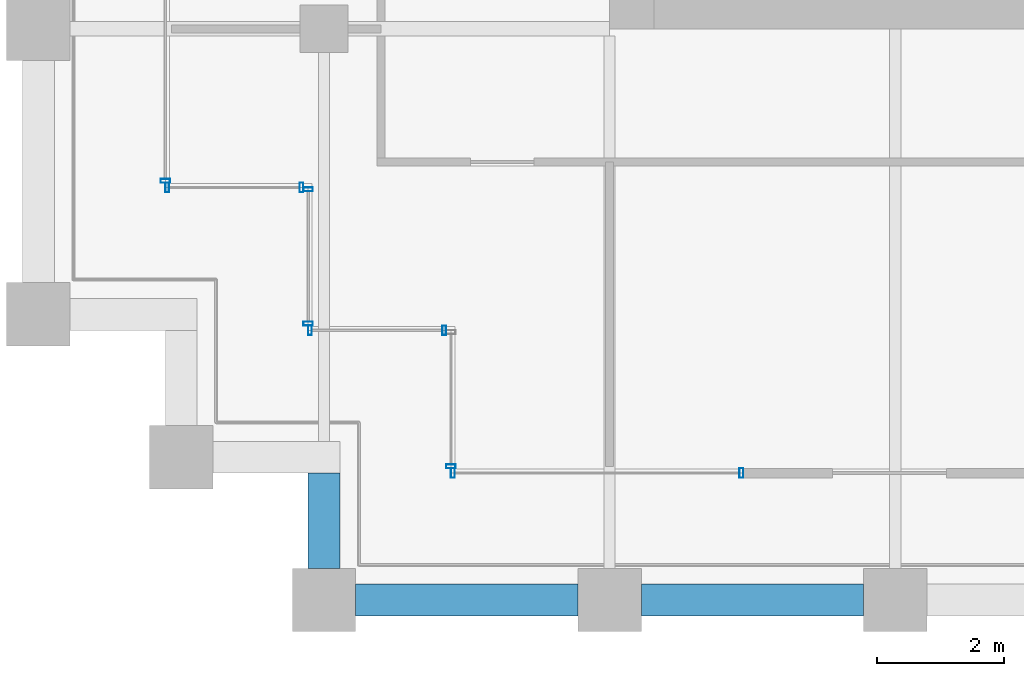
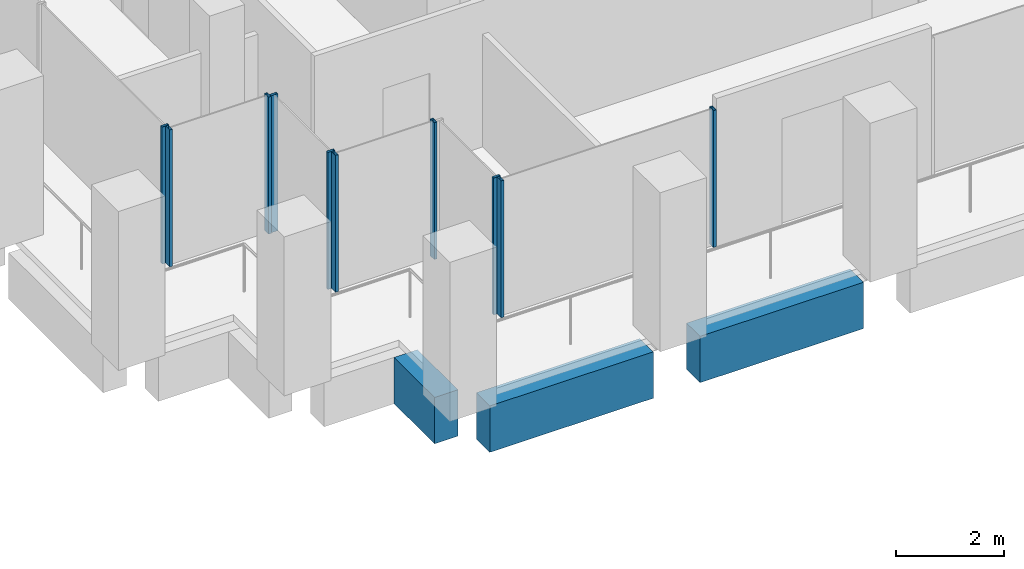
# One storey, part 28 of 45: 10 members, 3 beams, 6 elements without a shape of their own.
"""IFC4 building model written with IfcOpenShell, lengths in metres."""

import ifcopenshell
import ifcopenshell.guid

model = None  # the IFC model being written
_history = None  # IfcOwnerHistory: only IFC2X3 demands one
_inside = {}  # id of a spatial element -> (the spatial element, [elements in it])
_under = {}  # id of a project, library or spatial element -> (it, [spatial elements below it])
_declared = {}  # id of a project -> (the project, [libraries it declares])
_typed = {}  # id of a type object -> (the type object, [elements of that type])
_made_of = {}  # id of a material, layer set ... -> (it, [elements and type objects made of it])


def new_model(schema):
    """Start an empty IFC model of exactly this schema.

    Asked for "IFC4X3", IfcOpenShell would pick the latest addendum, in which some entities
    have other attributes; the version numbers below select the first issue.
    IFC2X3 requires an IfcOwnerHistory on every rooted entity: one is made here for all.
    """
    global model, _history
    if schema == "IFC4X3":
        model = ifcopenshell.file(schema_version=(4, 3, 0, 0))
    else:
        model = ifcopenshell.file(schema=schema)
    _inside.clear()
    _under.clear()
    _declared.clear()
    _typed.clear()
    _made_of.clear()
    _history = None
    if model.schema == "IFC2X3":
        org = make("IfcOrganization", Name="unknown")
        user = make(
            "IfcPersonAndOrganization",
            ThePerson=make("IfcPerson", FamilyName="unknown"),
            TheOrganization=org,
        )
        app = make(
            "IfcApplication",
            ApplicationDeveloper=org,
            Version="unknown",
            ApplicationFullName="unknown",
            ApplicationIdentifier="unknown",
        )
        _history = make(
            "IfcOwnerHistory",
            OwningUser=user,
            OwningApplication=app,
            ChangeAction="ADDED",
            CreationDate=0,
        )
    return model


def make(cls, **values):
    """One entity of the class cls with the attributes given. An attribute that is None is left unset."""
    return model.create_entity(
        cls, **{name: value for name, value in values.items() if value is not None}
    )


def rooted(cls, **values):
    """An entity with a GlobalId (a new one), such as an element, a storey or a relation."""
    return make(cls, GlobalId=ifcopenshell.guid.new(), OwnerHistory=_history, **values)


def si_unit(unit_type, name, prefix=None):
    """IfcSIUnit, for example si_unit("LENGTHUNIT", "METRE", prefix="MILLI")."""
    return make("IfcSIUnit", UnitType=unit_type, Prefix=prefix, Name=name)


def assignment(units):
    """IfcUnitAssignment: the units of a project."""
    return None if units is None else make("IfcUnitAssignment", Units=units)


def point(xyz):
    """IfcCartesianPoint."""
    return None if xyz is None else make("IfcCartesianPoint", Coordinates=xyz)


def direction(xyz):
    """IfcDirection."""
    return None if xyz is None else make("IfcDirection", DirectionRatios=xyz)


def frame(location, z_axis=None, x_axis=None):
    """IfcAxis2Placement3D, a coordinate frame: its origin and axes. An axis left out is left unset."""
    return make(
        "IfcAxis2Placement3D",
        Location=point(location),
        Axis=direction(z_axis),
        RefDirection=direction(x_axis),
    )


def frame_2d(location, x_axis=None):
    """IfcAxis2Placement2D, a coordinate frame in the plane: its origin and x axis."""
    return make(
        "IfcAxis2Placement2D", Location=point(location), RefDirection=direction(x_axis)
    )


def origin():
    """The frame at (0, 0, 0) with its axes left unset."""
    return frame((0.0, 0.0, 0.0))


def origin_2d():
    """The frame at (0, 0) in the plane with its x axis left unset."""
    return frame_2d((0.0, 0.0))


def place(relative_to, where):
    """IfcLocalPlacement: puts the frame where relative to a parent placement (None: the world)."""
    return make(
        "IfcLocalPlacement", PlacementRelTo=relative_to, RelativePlacement=where
    )


def context(
    kind, dimensions, precision=None, world=None, true_north=None, identifier=None
):
    """IfcGeometricRepresentationContext, for example the 3D "Model" context."""
    return make(
        "IfcGeometricRepresentationContext",
        ContextIdentifier=identifier,
        ContextType=kind,
        CoordinateSpaceDimension=dimensions,
        Precision=precision,
        WorldCoordinateSystem=world,
        TrueNorth=true_north,
    )


def subcontext(parent, identifier, kind, view, scale=None):
    """IfcGeometricRepresentationSubContext, for example "Body" below "Model"."""
    return make(
        "IfcGeometricRepresentationSubContext",
        ContextIdentifier=identifier,
        ContextType=kind,
        ParentContext=parent,
        TargetScale=scale,
        TargetView=view,
    )


def project(units=None, contexts=None):
    """IfcProject with its units and contexts."""
    return rooted(
        "IfcProject",
        Name="project",
        RepresentationContexts=contexts,
        UnitsInContext=assignment(units),
    )


def spatial(cls, under=None, at=None, **own):
    """A site, building, storey or space (cls), placed at a placement, below another one or the project."""
    s = rooted(cls, ObjectPlacement=at, **own)
    if under is not None:
        _under.setdefault(under.id(), (under, []))[1].append(s)
    return s


def profile(cls, at=None, kind="AREA", **sizes):
    """A parametric profile (cls). Its sizes go by their IFC names, for example OverallWidth=200.0."""
    return make(cls, ProfileType=kind, Position=at, **sizes)


def rectangle(**sizes):
    """IfcRectangleProfileDef."""
    return profile("IfcRectangleProfileDef", **sizes)


def hollow_rectangle(**sizes):
    """IfcRectangleHollowProfileDef."""
    return profile("IfcRectangleHollowProfileDef", **sizes)


def extrude(swept, where, along, depth):
    """IfcExtrudedAreaSolid: the profile swept, set in the frame where, extruded along a direction by depth."""
    return make(
        "IfcExtrudedAreaSolid",
        SweptArea=swept,
        Position=where,
        ExtrudedDirection=direction(along),
        Depth=depth,
    )


def shape(context_of_items, identifier, shape_type, items):
    """IfcShapeRepresentation: the items that make up one representation, for example the "Body"."""
    return make(
        "IfcShapeRepresentation",
        ContextOfItems=context_of_items,
        RepresentationIdentifier=identifier,
        RepresentationType=shape_type,
        Items=items,
    )


def material(Name=None, Category=None):
    """IfcMaterial."""
    return make("IfcMaterial", Name=Name, Category=Category)


def material_profile(
    of_material, cross_section, Name=None, Category=None, Priority=None
):
    """IfcMaterialProfile: a cross section and its material."""
    return make(
        "IfcMaterialProfile",
        Name=Name,
        Material=of_material,
        Profile=cross_section,
        Priority=Priority,
        Category=Category,
    )


def profile_set(profiles, Name=None, composite=None):
    """IfcMaterialProfileSet."""
    return make(
        "IfcMaterialProfileSet",
        Name=Name,
        MaterialProfiles=profiles,
        CompositeProfile=composite,
    )


def made_of(thing, what):
    """Note that an element or type object is made of a material, layer set ...; save() writes the relation."""
    if what is not None:
        _made_of.setdefault(what.id(), (what, []))[1].append(thing)
    return thing


def type_object(cls, material=None, **own):
    """A type object (cls), such as IfcWallType, which elements share."""
    return made_of(rooted(cls, **own), material)


def element(
    cls,
    number,
    at=None,
    inside=None,
    cuts=None,
    type_object=None,
    material=None,
    context=None,
    identifier="Body",
    shape_type=None,
    held_by="IfcProductDefinitionShape",
    body=None,
    shapes=None,
    **own,
):
    """One element of the class cls, such as IfcWall. Its Tag is "e" and its number.

    at: its placement. inside: the storey or other place that contains it. cuts: it is an
    opening in that element (IfcRelVoidsElement). A single representation is given by context,
    identifier, shape_type and body (its items); several are given by shapes. held_by: the class
    of the entity that holds the representations. save() writes the other relations.
    """
    e = rooted(cls, Tag="e%d" % number, ObjectPlacement=at, **own)
    if body is not None:
        shapes = [shape(context, identifier, shape_type, body)]
    if shapes is not None:
        e.Representation = make(held_by, Representations=shapes)
    if inside is not None:
        _inside.setdefault(inside.id(), (inside, []))[1].append(e)
    if cuts is not None:
        rooted(
            "IfcRelVoidsElement", RelatingBuildingElement=cuts, RelatedOpeningElement=e
        )
    if type_object is not None:
        _typed.setdefault(type_object.id(), (type_object, []))[1].append(e)
    return made_of(e, material)


def aggregate(whole, parts):
    """IfcRelAggregates: a whole, such as a stair, and the parts it consists of."""
    return rooted("IfcRelAggregates", RelatingObject=whole, RelatedObjects=parts)


def save(model, path):
    """Write the relations noted so far, then the file.

    IfcRelAggregates (storeys below a building ...), IfcRelContainedInSpatialStructure (elements
    in a storey), IfcRelDefinesByType, IfcRelAssociatesMaterial and IfcRelDeclares: one each for
    every whole, place, type object, material and project.
    """
    for whole, parts in _under.values():
        aggregate(whole, parts)
    for where, things in _inside.values():
        rooted(
            "IfcRelContainedInSpatialStructure",
            RelatedElements=things,
            RelatingStructure=where,
        )
    for kind, things in _typed.values():
        rooted("IfcRelDefinesByType", RelatedObjects=things, RelatingType=kind)
    for what, things in _made_of.values():
        rooted("IfcRelAssociatesMaterial", RelatedObjects=things, RelatingMaterial=what)
    for by, libraries in _declared.values():
        rooted("IfcRelDeclares", RelatingContext=by, RelatedDefinitions=libraries)
    model.write(path)


model = new_model("IFC4")

# Units and contexts
model_context = context("Model", 3, precision=1e-05, world=origin(), true_north=direction((0.0, 1.0)))
body_context = subcontext(model_context, "Body", "Model", "MODEL_VIEW")
ifc_project = project(units=[si_unit("LENGTHUNIT", "METRE"), si_unit("AREAUNIT", "SQUARE_METRE"), si_unit("VOLUMEUNIT", "CUBIC_METRE"), si_unit("PLANEANGLEUNIT", "RADIAN"), si_unit("MASSUNIT", "GRAM", prefix="KILO")], contexts=[model_context])

# Site, building, storey
site_placement = place(None, origin())
site = spatial("IfcSite", under=ifc_project, at=site_placement, CompositionType="ELEMENT")
building_placement = place(site_placement, origin())
building = spatial("IfcBuilding", under=site, at=building_placement, Name="Altepetl Exchange Towers", CompositionType="ELEMENT")
storey_placement = place(building_placement, frame((0.0, 0.0, 110.0)))
storey = spatial("IfcBuildingStorey", under=building, at=storey_placement, Name="L27", CompositionType="ELEMENT", Elevation=110.0)

# Curtain wall, member
ifc_material_1 = material(Name="Aluminium 6063-T6 glazing", Category="aluminium")
curtain_wall_type = type_object("IfcCurtainWallType", Name="Loggia glazing system", PredefinedType="NOTDEFINED", material=ifc_material_1)
curtain_wall_1_placement = place(storey_placement, origin())
curtain_wall_1 = element("IfcCurtainWall", 1, at=curtain_wall_1_placement, inside=storey, type_object=curtain_wall_type, Name="CW1 run", PredefinedType="NOTDEFINED")
ifc_material_2 = material(Name="Aluminium 6063-T6", Category="aluminium")
ifc_material_profile_1 = material_profile(ifc_material_2, hollow_rectangle(XDim=0.06005859375, YDim=0.14990234375, WallThickness=0.0029296875, at=origin_2d()), Name="Mullion 60x150 aluminium")
ifc_profile_set_1 = profile_set([ifc_material_profile_1], Name="Aluminium 6063-T6")
member_type = type_object("IfcMemberType", Name="Mullion 60x150 aluminium", PredefinedType="MULLION", material=ifc_profile_set_1)
member_1_placement = place(storey_placement, frame((96.5, 33.60498046875, 0.0), z_axis=(0.0, 0.0, 1.0), x_axis=(0.0, -1.0, 0.0)))
member_1 = element("IfcMember", 2, at=member_1_placement, type_object=member_type, Name="MU1 mullion", PredefinedType="MULLION", context=body_context, shape_type="SweptSolid", body=[
    extrude(hollow_rectangle(XDim=0.06005859375, YDim=0.14990234375, WallThickness=0.0029296875, at=origin_2d()), origin(), (0.0, 0.0, 1.0), 3.10009765625),
])
aggregate(curtain_wall_1, [member_1])

# Curtain wall, members
curtain_wall_2_placement = place(storey_placement, origin())
curtain_wall_2 = element("IfcCurtainWall", 3, at=curtain_wall_2_placement, inside=storey, type_object=curtain_wall_type, Name="CW1 run", PredefinedType="NOTDEFINED")
member_2_placement = place(storey_placement, frame((96.530029296875, 33.5, 0.0)))
member_2 = element("IfcMember", 4, at=member_2_placement, type_object=member_type, Name="MU1 mullion", PredefinedType="MULLION", context=body_context, shape_type="SweptSolid", body=[
    extrude(hollow_rectangle(XDim=0.06005859375, YDim=0.14990234375, WallThickness=0.0029296875, at=origin_2d()), origin(), (0.0, 0.0, 1.0), 3.10009765625),
])
member_3_placement = place(storey_placement, frame((98.64501953125, 33.5, 0.0)))
member_3 = element("IfcMember", 5, at=member_3_placement, type_object=member_type, Name="MU1 mullion", PredefinedType="MULLION", context=body_context, shape_type="SweptSolid", body=[
    extrude(hollow_rectangle(XDim=0.06005859375, YDim=0.14990234375, WallThickness=0.0029296875, at=origin_2d()), origin(), (0.0, 0.0, 1.0), 3.10009765625),
])
aggregate(curtain_wall_2, [member_2, member_3])

curtain_wall_3_placement = place(storey_placement, origin())
curtain_wall_3 = element("IfcCurtainWall", 6, at=curtain_wall_3_placement, inside=storey, type_object=curtain_wall_type, Name="CW1 run", PredefinedType="NOTDEFINED")
member_4_placement = place(storey_placement, frame((98.75, 33.469970703125, 0.0), z_axis=(0.0, 0.0, 1.0), x_axis=(0.0, -1.0, 0.0)))
member_4 = element("IfcMember", 7, at=member_4_placement, type_object=member_type, Name="MU1 mullion", PredefinedType="MULLION", context=body_context, shape_type="SweptSolid", body=[
    extrude(hollow_rectangle(XDim=0.06005859375, YDim=0.14990234375, WallThickness=0.0029296875, at=origin_2d()), origin(), (0.0, 0.0, 1.0), 3.10009765625),
])
member_5_placement = place(storey_placement, frame((98.75, 31.35498046875, 0.0), z_axis=(0.0, 0.0, 1.0), x_axis=(0.0, -1.0, 0.0)))
member_5 = element("IfcMember", 8, at=member_5_placement, type_object=member_type, Name="MU1 mullion", PredefinedType="MULLION", context=body_context, shape_type="SweptSolid", body=[
    extrude(hollow_rectangle(XDim=0.06005859375, YDim=0.14990234375, WallThickness=0.0029296875, at=origin_2d()), origin(), (0.0, 0.0, 1.0), 3.10009765625),
])
aggregate(curtain_wall_3, [member_4, member_5])

curtain_wall_4_placement = place(storey_placement, origin())
curtain_wall_4 = element("IfcCurtainWall", 9, at=curtain_wall_4_placement, inside=storey, type_object=curtain_wall_type, Name="CW1 run", PredefinedType="NOTDEFINED")
member_6_placement = place(storey_placement, frame((98.780029296875, 31.25, 0.0)))
member_6 = element("IfcMember", 10, at=member_6_placement, type_object=member_type, Name="MU1 mullion", PredefinedType="MULLION", context=body_context, shape_type="SweptSolid", body=[
    extrude(hollow_rectangle(XDim=0.06005859375, YDim=0.14990234375, WallThickness=0.0029296875, at=origin_2d()), origin(), (0.0, 0.0, 1.0), 3.10009765625),
])
member_7_placement = place(storey_placement, frame((100.89501953125, 31.25, 0.0)))
member_7 = element("IfcMember", 11, at=member_7_placement, type_object=member_type, Name="MU1 mullion", PredefinedType="MULLION", context=body_context, shape_type="SweptSolid", body=[
    extrude(hollow_rectangle(XDim=0.06005859375, YDim=0.14990234375, WallThickness=0.0029296875, at=origin_2d()), origin(), (0.0, 0.0, 1.0), 3.10009765625),
])
aggregate(curtain_wall_4, [member_6, member_7])

# Curtain wall, member
curtain_wall_5_placement = place(storey_placement, origin())
curtain_wall_5 = element("IfcCurtainWall", 12, at=curtain_wall_5_placement, inside=storey, type_object=curtain_wall_type, Name="CW1 run", PredefinedType="NOTDEFINED")
member_8_placement = place(storey_placement, frame((101.0, 29.10498046875, 0.0), z_axis=(0.0, 0.0, 1.0), x_axis=(0.0, -1.0, 0.0)))
member_8 = element("IfcMember", 13, at=member_8_placement, type_object=member_type, Name="MU1 mullion", PredefinedType="MULLION", context=body_context, shape_type="SweptSolid", body=[
    extrude(hollow_rectangle(XDim=0.06005859375, YDim=0.14990234375, WallThickness=0.0029296875, at=origin_2d()), origin(), (0.0, 0.0, 1.0), 3.10009765625),
])
aggregate(curtain_wall_5, [member_8])

# Curtain wall, members
curtain_wall_6_placement = place(storey_placement, origin())
curtain_wall_6 = element("IfcCurtainWall", 14, at=curtain_wall_6_placement, inside=storey, type_object=curtain_wall_type, Name="CW1 run", PredefinedType="NOTDEFINED")
member_9_placement = place(storey_placement, frame((101.030029296875, 29.0, 0.0)))
member_9 = element("IfcMember", 15, at=member_9_placement, type_object=member_type, Name="MU1 mullion", PredefinedType="MULLION", context=body_context, shape_type="SweptSolid", body=[
    extrude(hollow_rectangle(XDim=0.06005859375, YDim=0.14990234375, WallThickness=0.0029296875, at=origin_2d()), origin(), (0.0, 0.0, 1.0), 3.10009765625),
])
member_10_placement = place(storey_placement, frame((105.576171875, 29.0, 0.0)))
member_10 = element("IfcMember", 16, at=member_10_placement, type_object=member_type, Name="MU1 mullion", PredefinedType="MULLION", context=body_context, shape_type="SweptSolid", body=[
    extrude(hollow_rectangle(XDim=0.06005859375, YDim=0.14990234375, WallThickness=0.0029296875, at=origin_2d()), origin(), (0.0, 0.0, 1.0), 3.10009765625),
])
aggregate(curtain_wall_6, [member_9, member_10])

# Beams
ifc_material_3 = material(Name="Concrete C50/60 precast with tezontle facing", Category="concrete")
ifc_material_profile_2 = material_profile(ifc_material_3, rectangle(XDim=0.5, YDim=1.050048828125, at=origin_2d()), Name="500 x 1050")
ifc_profile_set_2 = profile_set([ifc_material_profile_2], Name="Concrete C50/60 precast with tezontle facing")
beam_type = type_object("IfcBeamType", Name="Spandrel beam 500x1050 tezontle", PredefinedType="SPANDREL", material=ifc_profile_set_2)
for number, where, z_axis, x_axis, name in (
    (17, (99.5, 27.0, -0.675048828125), (1.0, 0.0, 0.0), (0.0, 1.0, 0.0), "sp:B:L27:000"),
    (18, (104.0, 27.0, -0.675048828125), (1.0, 0.0, 0.0), (0.0, 1.0, 0.0), "sp:B:L27:001"),
):
    element("IfcBeam", number, at=place(storey_placement, frame(where, z_axis=z_axis, x_axis=x_axis)), inside=storey, type_object=beam_type, Name=name, PredefinedType="SPANDREL", context=body_context, shape_type="SweptSolid", body=[
        extrude(rectangle(XDim=0.5, YDim=1.050048828125, at=origin_2d()), origin(), (0.0, 0.0, 1.0), 3.5),
    ])
beam_placement = place(storey_placement, frame((99.0, 29.0, -0.675048828125), z_axis=(0.0, -1.0, 0.0), x_axis=(1.0, 0.0, 0.0)))
element("IfcBeam", 19, at=beam_placement, inside=storey, type_object=beam_type, Name="sp:B:L27:030", PredefinedType="SPANDREL", context=body_context, shape_type="SweptSolid", body=[
    extrude(rectangle(XDim=0.5, YDim=1.050048828125, at=origin_2d()), origin(), (0.0, 0.0, 1.0), 1.5),
])

save(model, "model.ifc")
